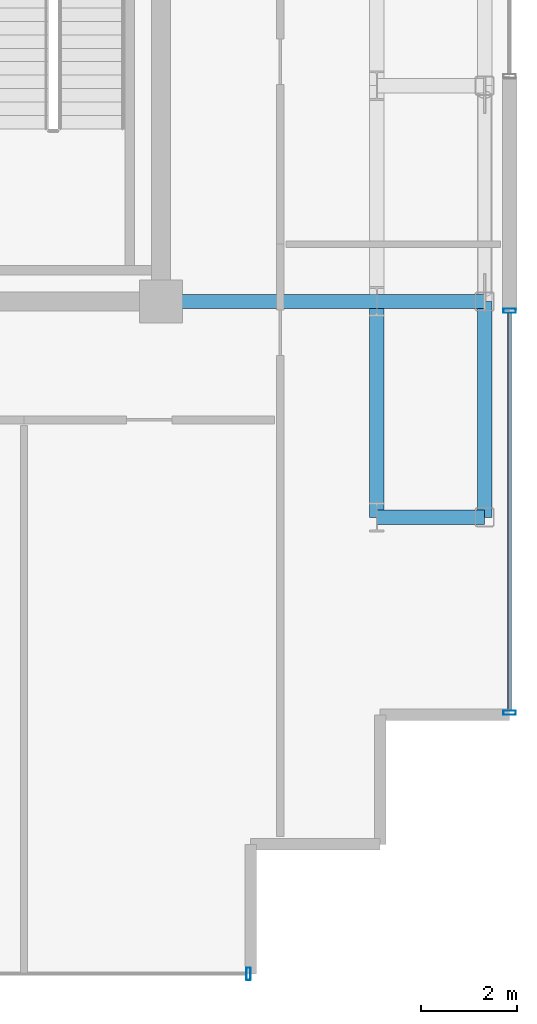
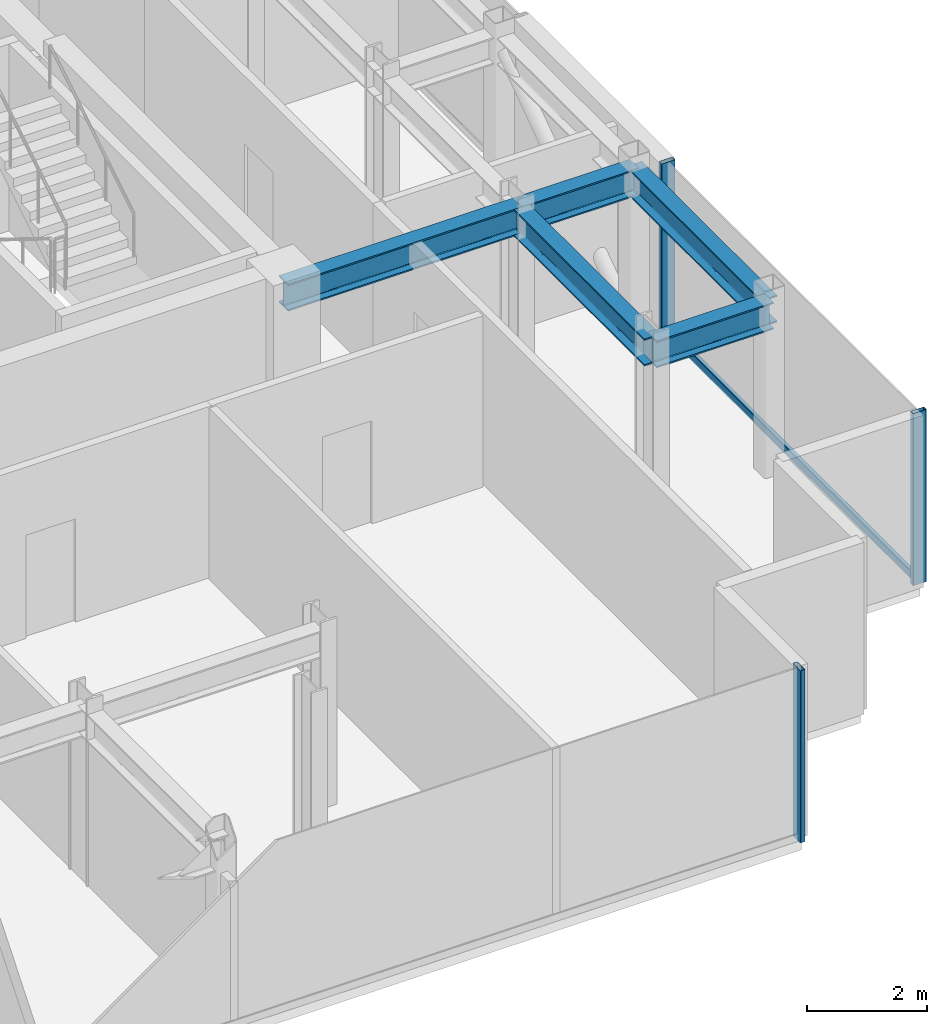
# One storey, part 5 of 16: 5 beams, 4 members, 2 elements without a shape of their own.
"""IFC4 building model written with IfcOpenShell, lengths in metres."""

from ifc_helpers import new_model, si_unit, direction, frame, origin, origin_2d, place, context, subcontext, project, spatial, hollow_rectangle, i_section, extrude, source, transform, mapped, material, layer, layer_set, material_profile, profile_set, type_object, element, aggregate, save


model = new_model("IFC4")

# Units and contexts
model_context = context("Model", 3, precision=1e-05, world=origin(), true_north=direction((0.0, 1.0)))
body_context = subcontext(model_context, "Body", "Model", "MODEL_VIEW")
ifc_project = project(units=[si_unit("LENGTHUNIT", "METRE"), si_unit("AREAUNIT", "SQUARE_METRE"), si_unit("VOLUMEUNIT", "CUBIC_METRE"), si_unit("PLANEANGLEUNIT", "RADIAN"), si_unit("MASSUNIT", "GRAM", prefix="KILO")], contexts=[model_context])

# Site, building, storey
site_placement = place(None, origin())
site = spatial("IfcSite", under=ifc_project, at=site_placement, CompositionType="ELEMENT")
building_placement = place(site_placement, origin())
building = spatial("IfcBuilding", under=site, at=building_placement, Name="Nefas-Gora Pilgrimage Tower", CompositionType="ELEMENT")
storey_placement = place(building_placement, frame((0.0, 0.0, 345.199951171875)))
storey = spatial("IfcBuildingStorey", under=building, at=storey_placement, Name="L87", CompositionType="ELEMENT", Elevation=345.199951171875)

# Beams
ifc_material_1 = material(Name="Steel S355", Category="steel")
ifc_material_profile_1 = material_profile(ifc_material_1, i_section(OverallWidth=0.300048828125, OverallDepth=0.550048828125, WebThickness=0.014892578125, FlangeThickness=0.029052734375, FilletRadius=0.027099609375, at=origin_2d()), Name="HEB 550")
ifc_profile_set_1 = profile_set([ifc_material_profile_1], Name="Steel S355")
beam_type_1 = type_object("IfcBeamType", Name="BM-SPN-HEB400", PredefinedType="SPANDREL", material=ifc_profile_set_1)
shared_shape_1 = source(origin(), body_context, "Body", "SweptSolid", [
    extrude(i_section(OverallWidth=0.300048828125, OverallDepth=0.550048828125, WebThickness=0.014892578125, FlangeThickness=0.029052734375, FilletRadius=0.027099609375, at=origin_2d()), origin(), (0.0, 0.0, 1.0), 4.5),
])
beam_placement = place(storey_placement, frame((18.0, -13.5, 3.22509765625), z_axis=(0.0, 1.0, 0.0), x_axis=(-1.0, 0.0, 0.0)))
element("IfcBeam", 1, at=beam_placement, inside=storey, type_object=beam_type_1, Name="L87 SP-04 beam", PredefinedType="SPANDREL", context=body_context, shape_type="MappedRepresentation", body=[
    mapped(shared_shape_1, transform((0.0, 0.0, 0.0), x_axis=(1.0, 0.0, 0.0), y_axis=(0.0, 1.0, 0.0), z_axis=(0.0, 0.0, 1.0), scale=1.0)),
])
ifc_material_profile_2 = material_profile(ifc_material_1, i_section(OverallWidth=0.300048828125, OverallDepth=0.550048828125, WebThickness=0.014892578125, FlangeThickness=0.029052734375, FilletRadius=0.027099609375, at=origin_2d()), Name="HEB 550")
ifc_profile_set_2 = profile_set([ifc_material_profile_2], Name="Steel S355")
beam_type_2 = type_object("IfcBeamType", Name="BM-GIR-HEB550", PredefinedType="BEAM", material=ifc_profile_set_2)
shared_shape_2 = source(origin(), body_context, "Body", "SweptSolid", [
    extrude(i_section(OverallWidth=0.300048828125, OverallDepth=0.550048828125, WebThickness=0.014892578125, FlangeThickness=0.029052734375, FilletRadius=0.027099609375, at=origin_2d()), origin(), (0.0, 0.0, 1.0), 4.5),
])
for number, where, z_axis, x_axis, name in (
    (2, (11.25, -9.0, 3.22509765625), (1.0, 0.0, 0.0), (0.0, 1.0, 0.0), "L87 G-05 beam"),
    (3, (15.75, -13.5, 3.22509765625), (0.0, 1.0, 0.0), (-1.0, 0.0, 0.0), "L87 G-05 beam"),
):
    element("IfcBeam", number, at=place(storey_placement, frame(where, z_axis=z_axis, x_axis=x_axis)), inside=storey, type_object=beam_type_2, Name=name, PredefinedType="BEAM", context=body_context, shape_type="MappedRepresentation", body=[
        mapped(shared_shape_2, transform((0.0, 0.0, 0.0), x_axis=(1.0, 0.0, 0.0), y_axis=(0.0, 1.0, 0.0), z_axis=(0.0, 0.0, 1.0), scale=1.0)),
    ])
shared_shape_3 = source(origin(), body_context, "Body", "SweptSolid", [
    extrude(i_section(OverallWidth=0.300048828125, OverallDepth=0.550048828125, WebThickness=0.014892578125, FlangeThickness=0.029052734375, FilletRadius=0.027099609375, at=origin_2d()), origin(), (0.0, 0.0, 1.0), 2.25),
])
for number, where, z_axis, x_axis, name in (
    (4, (15.75, -13.5, 3.22509765625), (1.0, 0.0, 0.0), (0.0, 1.0, 0.0), "L87 G-05 beam"),
    (5, (15.75, -9.0, 3.22509765625), (1.0, 0.0, 0.0), (0.0, 1.0, 0.0), "L87 G-05 beam"),
):
    element("IfcBeam", number, at=place(storey_placement, frame(where, z_axis=z_axis, x_axis=x_axis)), inside=storey, type_object=beam_type_2, Name=name, PredefinedType="BEAM", context=body_context, shape_type="MappedRepresentation", body=[
        mapped(shared_shape_3, transform((0.0, 0.0, 0.0), x_axis=(1.0, 0.0, 0.0), y_axis=(0.0, 1.0, 0.0), z_axis=(0.0, 0.0, 1.0), scale=1.0)),
    ])

# Curtain wall, member
ifc_material_2 = material(Name="Dark ceramic-fritted solar-control aluminium-glass curtain wall", Category="aluminium")
ifc_layer = layer(ifc_material_2, 0.219970703125)
ifc_layer_set = layer_set([ifc_layer], Name="Dark ceramic-fritted solar-control aluminium-glass curtain wall")
curtain_wall_type = type_object("IfcCurtainWallType", Name="CW-SYS-4", PredefinedType="NOTDEFINED", material=ifc_layer_set)
curtain_wall_1_placement = place(storey_placement, origin())
curtain_wall_1 = element("IfcCurtainWall", 6, at=curtain_wall_1_placement, inside=storey, type_object=curtain_wall_type, Name="L87 Unitised Curtain Wall CW4", PredefinedType="NOTDEFINED")
ifc_material_3 = material(Name="Anodised architectural aluminium", Category="aluminium")
ifc_material_profile_3 = material_profile(ifc_material_3, hollow_rectangle(XDim=0.080078125, YDim=0.159912109375, WallThickness=0.00439453125, InnerFilletRadius=0.00439453125, OuterFilletRadius=0.009033203125, at=origin_2d()), Name="ALU TRANSOM 80x160")
ifc_profile_set_3 = profile_set([ifc_material_profile_3], Name="Anodised architectural aluminium")
member_type_1 = type_object("IfcMemberType", Name="CWM-TRN-4", PredefinedType="USERDEFINED", material=ifc_profile_set_3)
shared_shape_4 = source(origin(), body_context, "Body", "SweptSolid", [
    extrude(hollow_rectangle(XDim=0.080078125, YDim=0.159912109375, WallThickness=0.00439453125, InnerFilletRadius=0.00439453125, OuterFilletRadius=0.009033203125, at=origin_2d()), origin(), (0.0, 0.0, 1.0), 8.2900390625),
])
member_1_placement = place(storey_placement, frame((18.52001953125, -17.530029296875, 0.050048828125), z_axis=(0.0, 1.0, 0.0), x_axis=(-1.0, 0.0, 0.0)))
member_1 = element("IfcMember", 7, at=member_1_placement, type_object=member_type_1, Name="CW4 Spandrel Transom", ObjectType="TRANSOM", PredefinedType="USERDEFINED", context=body_context, shape_type="MappedRepresentation", body=[
    mapped(shared_shape_4, transform((0.0, 0.0, 0.0), x_axis=(1.0, 0.0, 0.0), y_axis=(0.0, 1.0, 0.0), z_axis=(0.0, 0.0, 1.0), scale=1.0)),
])

curtain_wall_2_placement = place(storey_placement, origin())
curtain_wall_2 = element("IfcCurtainWall", 8, at=curtain_wall_2_placement, inside=storey, type_object=curtain_wall_type, Name="L87 Unitised Curtain Wall CW4", PredefinedType="NOTDEFINED")
ifc_material_profile_4 = material_profile(ifc_material_3, hollow_rectangle(XDim=0.090087890625, YDim=0.260009765625, WallThickness=0.006103515625, InnerFilletRadius=0.006103515625, OuterFilletRadius=0.011962890625, at=origin_2d()), Name="ALU MULLION 90x260")
ifc_profile_set_4 = profile_set([ifc_material_profile_4], Name="Anodised architectural aluminium")
member_type_2 = type_object("IfcMemberType", Name="CWM-MUL-4", PredefinedType="MULLION", material=ifc_profile_set_4)
shared_shape_5 = source(origin(), body_context, "Body", "SweptSolid", [
    extrude(hollow_rectangle(XDim=0.090087890625, YDim=0.260009765625, WallThickness=0.006103515625, InnerFilletRadius=0.006103515625, OuterFilletRadius=0.011962890625, at=origin_2d()), origin(), (0.0, 0.0, 1.0), 3.5),
])
member_2_placement = place(storey_placement, frame((13.074951171875, -23.02001953125, 0.0), z_axis=(0.0, 0.0, 1.0), x_axis=(1.0, 0.0, 0.0)))
member_2 = element("IfcMember", 9, at=member_2_placement, type_object=member_type_2, Name="CW4 Mullion 2", PredefinedType="MULLION", context=body_context, shape_type="MappedRepresentation", body=[
    mapped(shared_shape_5, transform((0.0, 0.0, 0.0), x_axis=(1.0, 0.0, 0.0), y_axis=(0.0, 1.0, 0.0), z_axis=(0.0, 0.0, 1.0), scale=1.0)),
])
aggregate(curtain_wall_2, [member_2])

# Member
member_3_placement = place(storey_placement, frame((18.52001953125, -17.574951171875, 0.0), z_axis=(0.0, 0.0, 1.0), x_axis=(0.0, 1.0, 0.0)))
member_3 = element("IfcMember", 10, at=member_3_placement, type_object=member_type_2, Name="CW4 Mullion 1", PredefinedType="MULLION", context=body_context, shape_type="MappedRepresentation", body=[
    mapped(shared_shape_5, transform((0.0, 0.0, 0.0), x_axis=(1.0, 0.0, 0.0), y_axis=(0.0, 1.0, 0.0), z_axis=(0.0, 0.0, 1.0), scale=1.0)),
])

member_4_placement = place(storey_placement, frame((18.52001953125, -9.195068359375, 0.0), z_axis=(0.0, 0.0, 1.0), x_axis=(0.0, 1.0, 0.0)))
member_4 = element("IfcMember", 11, at=member_4_placement, type_object=member_type_2, Name="CW4 Mullion 2", PredefinedType="MULLION", context=body_context, shape_type="MappedRepresentation", body=[
    mapped(shared_shape_5, transform((0.0, 0.0, 0.0), x_axis=(1.0, 0.0, 0.0), y_axis=(0.0, 1.0, 0.0), z_axis=(0.0, 0.0, 1.0), scale=1.0)),
])

aggregate(curtain_wall_1, [member_3, member_4, member_1])

save(model, "model.ifc")
